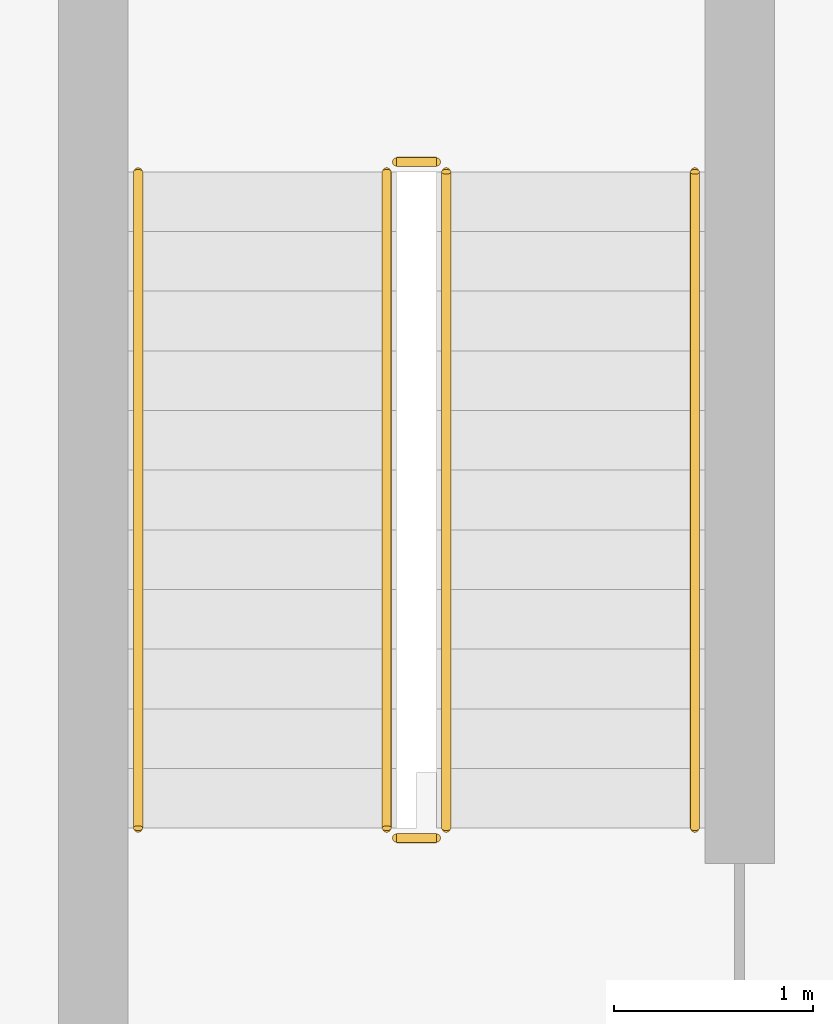
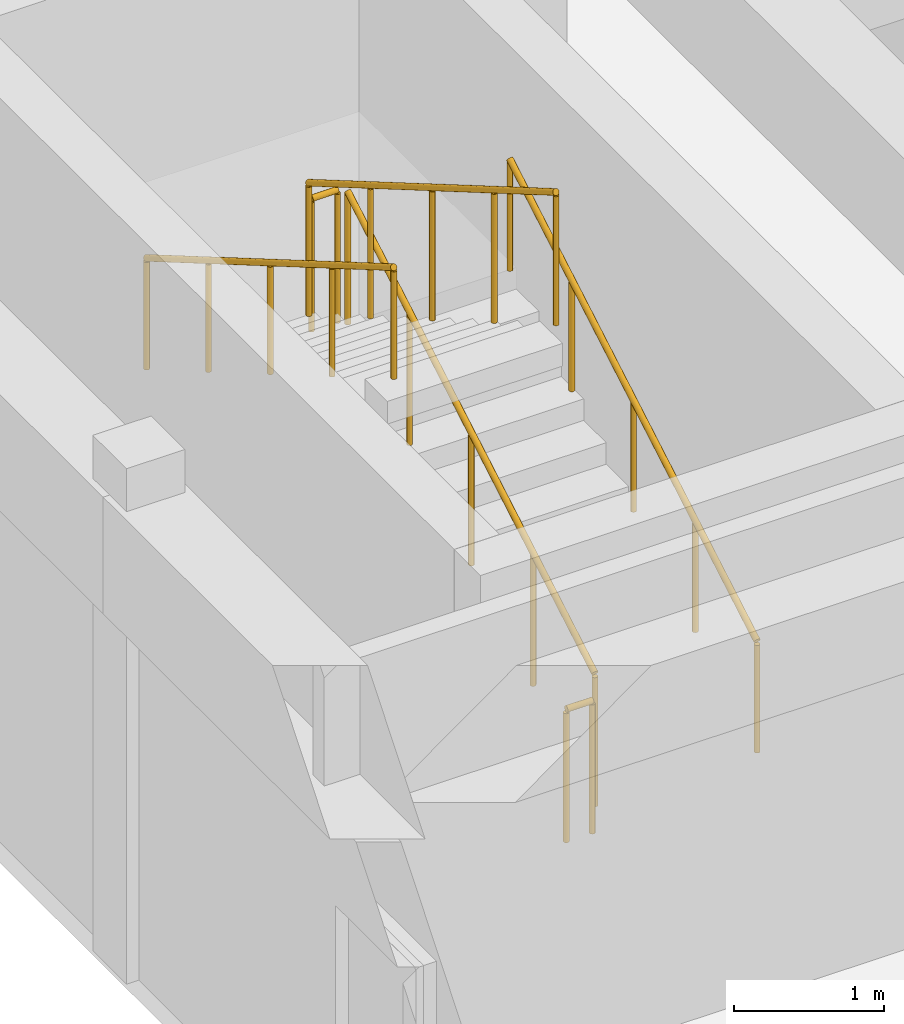
# One storey, part 157 of 157: 6 railings.
"""IFC4 building model written with IfcOpenShell, lengths in metres."""

from ifc_helpers import new_model, si_unit, direction, frame, origin, origin_2d, place, context, subcontext, project, spatial, circle, extrude, material, type_object, element, save


model = new_model("IFC4")

# Units and contexts
model_context = context("Model", 3, precision=1e-05, world=origin(), true_north=direction((0.0, 1.0)))
body_context = subcontext(model_context, "Body", "Model", "MODEL_VIEW")
ifc_project = project(units=[si_unit("LENGTHUNIT", "METRE"), si_unit("AREAUNIT", "SQUARE_METRE"), si_unit("VOLUMEUNIT", "CUBIC_METRE"), si_unit("PLANEANGLEUNIT", "RADIAN"), si_unit("MASSUNIT", "GRAM", prefix="KILO")], contexts=[model_context])

# Site, building, storey
site_placement = place(None, origin())
site = spatial("IfcSite", under=ifc_project, at=site_placement, CompositionType="ELEMENT")
building_placement = place(site_placement, origin())
building = spatial("IfcBuilding", under=site, at=building_placement, Name="Karori Crest Natural Sciences Institute", CompositionType="ELEMENT")
storey_placement = place(building_placement, frame((0.0, 0.0, 13.300048828125)))
storey = spatial("IfcBuildingStorey", under=building, at=storey_placement, Name="L03", CompositionType="ELEMENT", Elevation=13.300048828125)

# Railings
ifc_material_1 = material(Name="Stainless steel 316 tubular handrail", Category="steel")
railing_type_1 = type_object("IfcRailingType", Name="RLT-HND", PredefinedType="HANDRAIL", material=ifc_material_1)
railing_1_placement = place(storey_placement, frame((12.050048828125, 141.0, 0.175048828125)))
element("IfcRailing", 1, at=railing_1_placement, inside=storey, type_object=railing_type_1, Name="Stair handrail RL-0298", PredefinedType="HANDRAIL", context=body_context, shape_type="SweptSolid", body=[
    extrude(circle(Radius=0.02392578125, at=origin_2d()), frame((0.0, 0.0, 0.90087890625), z_axis=(0.0, 0.863804395585, 0.503827317807), x_axis=(-1.0, 0.0, 0.0)), (0.0, 0.0, 1.0), 3.8203125),
    extrude(circle(Radius=0.02099609375, at=origin_2d()), origin(), (0.0, 0.0, 1.0), 0.876953125),
    extrude(circle(Radius=0.02099609375, at=origin_2d()), frame((0.0, 0.824951171875, 0.481201171875)), (0.0, 0.0, 1.0), 0.876953125),
    extrude(circle(Radius=0.02099609375, at=origin_2d()), frame((0.0, 1.64990234375, 0.96240234375)), (0.0, 0.0, 1.0), 0.876953125),
    extrude(circle(Radius=0.02099609375, at=origin_2d()), frame((0.0, 2.47509765625, 1.443603515625)), (0.0, 0.0, 1.0), 0.876953125),
    extrude(circle(Radius=0.02099609375, at=origin_2d()), frame((0.0, 3.300048828125, 1.9248046875)), (0.0, 0.0, 1.0), 0.876953125),
])
railing_2_placement = place(storey_placement, frame((9.25, 144.300048828125, 2.27490234375)))
element("IfcRailing", 2, at=railing_2_placement, inside=storey, type_object=railing_type_1, Name="Stair handrail RL-0299", PredefinedType="HANDRAIL", context=body_context, shape_type="SweptSolid", body=[
    extrude(circle(Radius=0.02392578125, at=origin_2d()), frame((0.0, 0.0, 0.90087890625), z_axis=(0.0, -0.863776583165, 0.503874998761), x_axis=(1.0, 0.0, 0.0)), (0.0, 0.0, 1.0), 3.820556640625),
    extrude(circle(Radius=0.02099609375, at=origin_2d()), origin(), (0.0, 0.0, 1.0), 0.876953125),
    extrude(circle(Radius=0.02099609375, at=origin_2d()), frame((0.0, -0.824951171875, 0.481201171875)), (0.0, 0.0, 1.0), 0.876953125),
    extrude(circle(Radius=0.02099609375, at=origin_2d()), frame((0.0, -1.64990234375, 0.96240234375)), (0.0, 0.0, 1.0), 0.876953125),
    extrude(circle(Radius=0.02099609375, at=origin_2d()), frame((0.0, -2.47509765625, 1.44384765625)), (0.0, 0.0, 1.0), 0.876953125),
    extrude(circle(Radius=0.02099609375, at=origin_2d()), frame((0.0, -3.300048828125, 1.925048828125)), (0.0, 0.0, 1.0), 0.876953125),
])
ifc_material_2 = material(Name="Stainless steel 316 stair guard", Category="steel")
railing_type_2 = type_object("IfcRailingType", Name="RLT-STG", PredefinedType="GUARDRAIL", material=ifc_material_2)
railing_3_placement = place(storey_placement, frame((10.800048828125, 141.0, 0.175048828125)))
element("IfcRailing", 3, at=railing_3_placement, inside=storey, type_object=railing_type_2, Name="Stair guard RL-0294", PredefinedType="GUARDRAIL", context=body_context, shape_type="SweptSolid", body=[
    extrude(circle(Radius=0.02392578125, at=origin_2d()), frame((0.0, 0.0, 1.076171875), z_axis=(0.0, 0.863804395585, 0.503827317807), x_axis=(-1.0, 0.0, 0.0)), (0.0, 0.0, 1.0), 3.8203125),
    extrude(circle(Radius=0.02099609375, at=origin_2d()), origin(), (0.0, 0.0, 1.0), 1.052001953125),
    extrude(circle(Radius=0.02099609375, at=origin_2d()), frame((0.0, 0.824951171875, 0.481201171875)), (0.0, 0.0, 1.0), 1.052001953125),
    extrude(circle(Radius=0.02099609375, at=origin_2d()), frame((0.0, 1.64990234375, 0.96240234375)), (0.0, 0.0, 1.0), 1.052001953125),
    extrude(circle(Radius=0.02099609375, at=origin_2d()), frame((0.0, 2.47509765625, 1.443603515625)), (0.0, 0.0, 1.0), 1.052001953125),
    extrude(circle(Radius=0.02099609375, at=origin_2d()), frame((0.0, 3.300048828125, 1.9248046875)), (0.0, 0.0, 1.0), 1.052001953125),
])
railing_4_placement = place(storey_placement, frame((10.75, 144.35009765625, 2.099853515625)))
element("IfcRailing", 4, at=railing_4_placement, inside=storey, type_object=railing_type_2, Name="Stair guard RL-0295", PredefinedType="GUARDRAIL", context=body_context, shape_type="SweptSolid", body=[
    extrude(circle(Radius=0.02392578125, at=origin_2d()), frame((0.0, 0.0, 1.076171875), z_axis=(-1.0, 0.0, 0.0), x_axis=(0.0, -1.0, 0.0)), (0.0, 0.0, 1.0), 0.199951171875),
    extrude(circle(Radius=0.02099609375, at=origin_2d()), origin(), (0.0, 0.0, 1.0), 1.052001953125),
    extrude(circle(Radius=0.02099609375, at=origin_2d()), frame((-0.199951171875, 0.0, 0.0)), (0.0, 0.0, 1.0), 1.052001953125),
])
railing_5_placement = place(storey_placement, frame((10.5, 144.300048828125, 2.27490234375)))
element("IfcRailing", 5, at=railing_5_placement, inside=storey, type_object=railing_type_2, Name="Stair guard RL-0296", PredefinedType="GUARDRAIL", context=body_context, shape_type="SweptSolid", body=[
    extrude(circle(Radius=0.02392578125, at=origin_2d()), frame((0.0, 0.0, 1.076171875), z_axis=(0.0, -0.863776583165, 0.503874998761), x_axis=(1.0, 0.0, 0.0)), (0.0, 0.0, 1.0), 3.820556640625),
    extrude(circle(Radius=0.02099609375, at=origin_2d()), origin(), (0.0, 0.0, 1.0), 1.052001953125),
    extrude(circle(Radius=0.02099609375, at=origin_2d()), frame((0.0, -0.824951171875, 0.481201171875)), (0.0, 0.0, 1.0), 1.052001953125),
    extrude(circle(Radius=0.02099609375, at=origin_2d()), frame((0.0, -1.64990234375, 0.96240234375)), (0.0, 0.0, 1.0), 1.052001953125),
    extrude(circle(Radius=0.02099609375, at=origin_2d()), frame((0.0, -2.47509765625, 1.44384765625)), (0.0, 0.0, 1.0), 1.052001953125),
    extrude(circle(Radius=0.02099609375, at=origin_2d()), frame((0.0, -3.300048828125, 1.925048828125)), (0.0, 0.0, 1.0), 1.052001953125),
])
railing_6_placement = place(storey_placement, frame((10.75, 140.949951171875, 0.0)))
element("IfcRailing", 6, at=railing_6_placement, inside=storey, type_object=railing_type_2, Name="Stair guard RL-0297", PredefinedType="GUARDRAIL", context=body_context, shape_type="SweptSolid", body=[
    extrude(circle(Radius=0.02392578125, at=origin_2d()), frame((0.0, 0.0, 1.076171875), z_axis=(-1.0, 0.0, 0.0), x_axis=(0.0, -1.0, 0.0)), (0.0, 0.0, 1.0), 0.199951171875),
    extrude(circle(Radius=0.02099609375, at=origin_2d()), origin(), (0.0, 0.0, 1.0), 1.052001953125),
    extrude(circle(Radius=0.02099609375, at=origin_2d()), frame((-0.199951171875, 0.0, 0.0)), (0.0, 0.0, 1.0), 1.052001953125),
])

save(model, "model.ifc")
